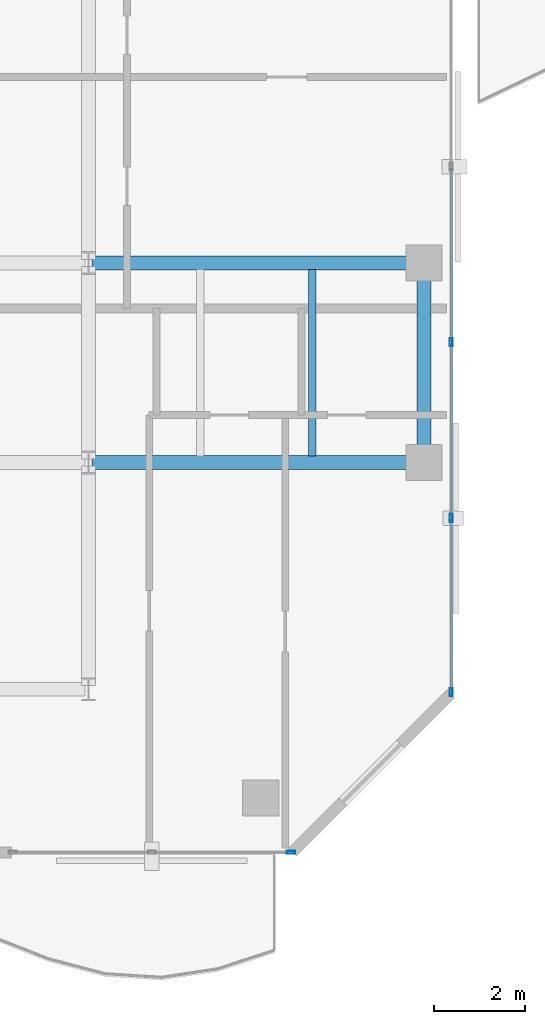
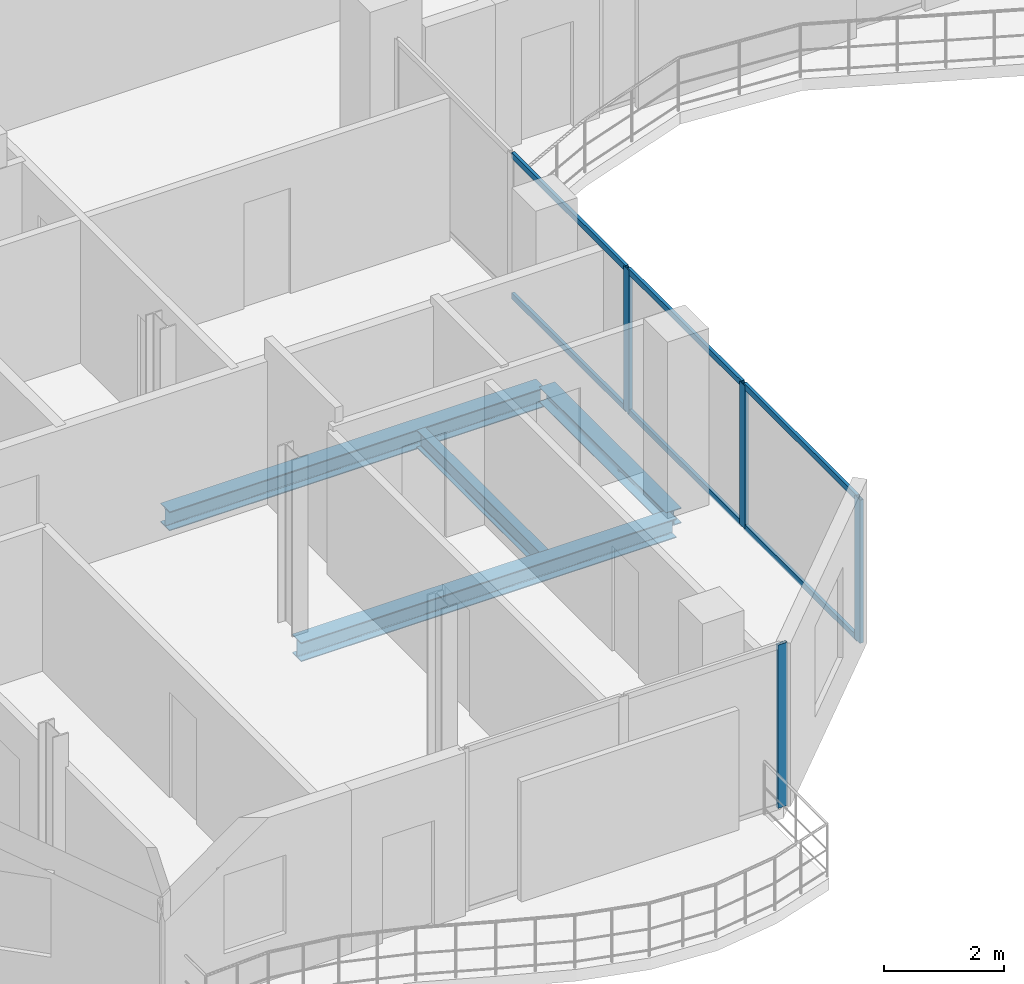
# One storey, part 6 of 23: 10 members, 4 beams, 2 elements without a shape of their own.
"""IFC4 building model written with IfcOpenShell, lengths in metres."""

from ifc_helpers import new_model, si_unit, direction, frame, origin, origin_2d, place, context, subcontext, project, spatial, hollow_rectangle, i_section, extrude, material, layer, layer_set, material_profile, profile_set, type_object, element, aggregate, save


model = new_model("IFC4")

# Units and contexts
model_context = context("Model", 3, precision=1e-05, world=origin(), true_north=direction((0.0, 1.0)))
body_context = subcontext(model_context, "Body", "Model", "MODEL_VIEW")
ifc_project = project(units=[si_unit("LENGTHUNIT", "METRE"), si_unit("AREAUNIT", "SQUARE_METRE"), si_unit("VOLUMEUNIT", "CUBIC_METRE"), si_unit("PLANEANGLEUNIT", "RADIAN"), si_unit("MASSUNIT", "GRAM", prefix="KILO")], contexts=[model_context])

# Site, building, storey
site_placement = place(None, origin())
site = spatial("IfcSite", under=ifc_project, at=site_placement, CompositionType="ELEMENT")
building_placement = place(site_placement, origin())
building = spatial("IfcBuilding", under=site, at=building_placement, Name="Catumbela Crestline Tower", CompositionType="ELEMENT")
storey_placement = place(building_placement, frame((0.0, 0.0, 168.6)))
storey = spatial("IfcBuildingStorey", under=building, at=storey_placement, Name="L43", CompositionType="ELEMENT", Elevation=168.6)

# Beams
ifc_material_1 = material(Name="Structural steel S355J2", Category="steel")
ifc_material_profile_1 = material_profile(ifc_material_1, i_section(OverallWidth=0.3, OverallDepth=0.39, WebThickness=0.011, FlangeThickness=0.019, FilletRadius=0.027, at=origin_2d()), Name="HEA 400")
ifc_profile_set_1 = profile_set([ifc_material_profile_1], Name="Structural steel S355J2")
beam_type_1 = type_object("IfcBeamType", Name="BG-HEA400", PredefinedType="BEAM", material=ifc_profile_set_1)
for number, where, z_axis, x_axis, name in (
    (1, (16.08, 13.6, -0.455), (1.0, 0.0, 0.0), (0.0, 1.0, 0.0), "L43 Beam BM-L43-WEW34"),
    (2, (16.08, 18.0, -0.455), (1.0, 0.0, 0.0), (0.0, 1.0, 0.0), "L43 Beam BM-L43-WEW36"),
):
    element("IfcBeam", number, at=place(storey_placement, frame(where, z_axis=z_axis, x_axis=x_axis)), inside=storey, type_object=beam_type_1, Name=name, PredefinedType="BEAM", context=body_context, shape_type="SweptSolid", body=[
        extrude(i_section(OverallWidth=0.3, OverallDepth=0.39, WebThickness=0.011, FlangeThickness=0.019, FilletRadius=0.027, at=origin_2d()), origin(), (0.0, 0.0, 1.0), 7.24),
    ])
ifc_material_profile_2 = material_profile(ifc_material_1, i_section(OverallWidth=0.17, OverallDepth=0.36, WebThickness=0.008, FlangeThickness=0.0127, FilletRadius=0.018, at=origin_2d()), Name="IPE 360")
ifc_profile_set_2 = profile_set([ifc_material_profile_2], Name="Structural steel S355J2")
beam_type_2 = type_object("IfcBeamType", Name="BJ-IPE360", PredefinedType="JOIST", material=ifc_profile_set_2)
beam_1_placement = place(storey_placement, frame((20.933, 13.747, -0.44), z_axis=(0.0, 1.0, 0.0), x_axis=(-1.0, 0.0, 0.0)))
element("IfcBeam", 3, at=beam_1_placement, inside=storey, type_object=beam_type_2, Name="L43 Joist JS-L43-WG49", PredefinedType="JOIST", context=body_context, shape_type="SweptSolid", body=[
    extrude(i_section(OverallWidth=0.17, OverallDepth=0.36, WebThickness=0.008, FlangeThickness=0.0127, FilletRadius=0.018, at=origin_2d()), origin(), (0.0, 0.0, 1.0), 4.106),
])

# Curtain wall, member
ifc_material_2 = material(Name="Aluminium alloy AW-6060-T66", Category="aluminium")
ifc_layer = layer(ifc_material_2, 0.18, Name="Aluminium alloy AW-6060-T66")
ifc_layer_set = layer_set([ifc_layer], Name="Aluminium alloy AW-6060-T66")
curtain_wall_type = type_object("IfcCurtainWallType", Name="CWU-Z3", PredefinedType="USERDEFINED", material=ifc_layer_set)
curtain_wall_1_placement = place(storey_placement, origin())
curtain_wall_1 = element("IfcCurtainWall", 4, at=curtain_wall_1_placement, inside=storey, type_object=curtain_wall_type, Name="L43 Unitised Curtain Wall CW-L43-E0S2", ObjectType="UNITISED", PredefinedType="USERDEFINED")
ifc_material_profile_3 = material_profile(ifc_material_2, hollow_rectangle(XDim=0.065, YDim=0.18, WallThickness=0.004, at=origin_2d()), Name="ALU 180x65x4")
ifc_profile_set_3 = profile_set([ifc_material_profile_3], Name="Aluminium alloy AW-6060-T66")
member_type_1 = type_object("IfcMemberType", Name="MUL-180X65", PredefinedType="MULLION", material=ifc_profile_set_3)
member_1_placement = place(storey_placement, frame((20.4675, 5.0, 0.0), z_axis=(0.0, 0.0, 1.0), x_axis=(0.0, 1.0, 0.0)))
member_1 = element("IfcMember", 5, at=member_1_placement, type_object=member_type_1, Name="CWU-Z3 mullion 3", PredefinedType="MULLION", context=body_context, shape_type="SweptSolid", body=[
    extrude(hollow_rectangle(XDim=0.065, YDim=0.18, WallThickness=0.004, at=origin_2d()), origin(), (0.0, 0.0, 1.0), 3.33),
])
aggregate(curtain_wall_1, [member_1])

# Curtain wall, members
curtain_wall_2_placement = place(storey_placement, origin())
curtain_wall_2 = element("IfcCurtainWall", 6, at=curtain_wall_2_placement, inside=storey, type_object=curtain_wall_type, Name="L43 Unitised Curtain Wall CW-L43-E2S1", ObjectType="UNITISED", PredefinedType="USERDEFINED")
member_2_placement = place(storey_placement, frame((24.0, 8.5325, 0.0), z_axis=(0.0, 0.0, 1.0), x_axis=(-1.0, 0.0, 0.0)))
member_2 = element("IfcMember", 7, at=member_2_placement, type_object=member_type_1, Name="CWU-Z3 mullion 1", PredefinedType="MULLION", context=body_context, shape_type="SweptSolid", body=[
    extrude(hollow_rectangle(XDim=0.065, YDim=0.18, WallThickness=0.004, at=origin_2d()), origin(), (0.0, 0.0, 1.0), 2.92),
])
member_3_placement = place(storey_placement, frame((24.0, 12.375, 0.0), z_axis=(0.0, 0.0, 1.0), x_axis=(-1.0, 0.0, 0.0)))
member_3 = element("IfcMember", 8, at=member_3_placement, type_object=member_type_1, Name="CWU-Z3 mullion 2", PredefinedType="MULLION", context=body_context, shape_type="SweptSolid", body=[
    extrude(hollow_rectangle(XDim=0.065, YDim=0.18, WallThickness=0.004, at=origin_2d()), origin(), (0.0, 0.0, 1.0), 2.92),
])
member_4_placement = place(storey_placement, frame((24.0, 16.25, 0.0), z_axis=(0.0, 0.0, 1.0), x_axis=(-1.0, 0.0, 0.0)))
member_4 = element("IfcMember", 9, at=member_4_placement, type_object=member_type_1, Name="CWU-Z3 mullion 3", PredefinedType="MULLION", context=body_context, shape_type="SweptSolid", body=[
    extrude(hollow_rectangle(XDim=0.065, YDim=0.18, WallThickness=0.004, at=origin_2d()), origin(), (0.0, 0.0, 1.0), 2.92),
])

# Beam
ifc_material_profile_4 = material_profile(ifc_material_1, i_section(OverallWidth=0.3, OverallDepth=0.31, WebThickness=0.009, FlangeThickness=0.0155, FilletRadius=0.027, at=origin_2d()), Name="HEA 320")
ifc_profile_set_4 = profile_set([ifc_material_profile_4], Name="Structural steel S355J2")
beam_type_3 = type_object("IfcBeamType", Name="BS-HEA320", PredefinedType="SPANDREL", material=ifc_profile_set_4)
beam_2_placement = place(storey_placement, frame((23.4, 13.68, -0.415), z_axis=(0.0, 1.0, 0.0), x_axis=(-1.0, 0.0, 0.0)))
element("IfcBeam", 10, at=beam_2_placement, inside=storey, type_object=beam_type_3, Name="L43 Spandrel SP-L43-WNS43", PredefinedType="SPANDREL", context=body_context, shape_type="SweptSolid", body=[
    extrude(i_section(OverallWidth=0.3, OverallDepth=0.31, WebThickness=0.009, FlangeThickness=0.0155, FilletRadius=0.027, at=origin_2d()), origin(), (0.0, 0.0, 1.0), 4.24),
])

# Member
ifc_material_profile_5 = material_profile(ifc_material_2, hollow_rectangle(XDim=0.06, YDim=0.12, WallThickness=0.0035, at=origin_2d()), Name="ALU 120x60x3.5")
ifc_profile_set_5 = profile_set([ifc_material_profile_5], Name="Aluminium alloy AW-6060-T66")
member_type_2 = type_object("IfcMemberType", Name="TRN-120X60", PredefinedType="USERDEFINED", material=ifc_profile_set_5)
member_5_placement = place(storey_placement, frame((24.0, 8.565, 0.03), z_axis=(0.0, 1.0, 0.0), x_axis=(-1.0, 0.0, 0.0)))
member_5 = element("IfcMember", 11, at=member_5_placement, type_object=member_type_2, Name="CWU-Z3 transom 1.1", ObjectType="TRANSOM", PredefinedType="USERDEFINED", context=body_context, shape_type="SweptSolid", body=[
    extrude(hollow_rectangle(XDim=0.06, YDim=0.12, WallThickness=0.0035, at=origin_2d()), origin(), (0.0, 0.0, 1.0), 3.7775),
])

member_6_placement = place(storey_placement, frame((24.0, 8.565, 2.89), z_axis=(0.0, 1.0, 0.0), x_axis=(-1.0, 0.0, 0.0)))
member_6 = element("IfcMember", 12, at=member_6_placement, type_object=member_type_2, Name="CWU-Z3 transom 1.2", ObjectType="TRANSOM", PredefinedType="USERDEFINED", context=body_context, shape_type="SweptSolid", body=[
    extrude(hollow_rectangle(XDim=0.06, YDim=0.12, WallThickness=0.0035, at=origin_2d()), origin(), (0.0, 0.0, 1.0), 3.7775),
])

member_7_placement = place(storey_placement, frame((24.0, 12.4075, 0.03), z_axis=(0.0, 1.0, 0.0), x_axis=(-1.0, 0.0, 0.0)))
member_7 = element("IfcMember", 13, at=member_7_placement, type_object=member_type_2, Name="CWU-Z3 transom 2.1", ObjectType="TRANSOM", PredefinedType="USERDEFINED", context=body_context, shape_type="SweptSolid", body=[
    extrude(hollow_rectangle(XDim=0.06, YDim=0.12, WallThickness=0.0035, at=origin_2d()), origin(), (0.0, 0.0, 1.0), 3.81),
])

member_8_placement = place(storey_placement, frame((24.0, 12.4075, 2.89), z_axis=(0.0, 1.0, 0.0), x_axis=(-1.0, 0.0, 0.0)))
member_8 = element("IfcMember", 14, at=member_8_placement, type_object=member_type_2, Name="CWU-Z3 transom 2.2", ObjectType="TRANSOM", PredefinedType="USERDEFINED", context=body_context, shape_type="SweptSolid", body=[
    extrude(hollow_rectangle(XDim=0.06, YDim=0.12, WallThickness=0.0035, at=origin_2d()), origin(), (0.0, 0.0, 1.0), 3.81),
])

member_9_placement = place(storey_placement, frame((24.0, 16.2825, 0.03), z_axis=(0.0, 1.0, 0.0), x_axis=(-1.0, 0.0, 0.0)))
member_9 = element("IfcMember", 15, at=member_9_placement, type_object=member_type_2, Name="CWU-Z3 transom 3.1", ObjectType="TRANSOM", PredefinedType="USERDEFINED", context=body_context, shape_type="SweptSolid", body=[
    extrude(hollow_rectangle(XDim=0.06, YDim=0.12, WallThickness=0.0035, at=origin_2d()), origin(), (0.0, 0.0, 1.0), 3.81),
])

member_10_placement = place(storey_placement, frame((24.0, 16.2825, 2.89), z_axis=(0.0, 1.0, 0.0), x_axis=(-1.0, 0.0, 0.0)))
member_10 = element("IfcMember", 16, at=member_10_placement, type_object=member_type_2, Name="CWU-Z3 transom 3.2", ObjectType="TRANSOM", PredefinedType="USERDEFINED", context=body_context, shape_type="SweptSolid", body=[
    extrude(hollow_rectangle(XDim=0.06, YDim=0.12, WallThickness=0.0035, at=origin_2d()), origin(), (0.0, 0.0, 1.0), 3.81),
])

aggregate(curtain_wall_2, [member_2, member_3, member_4, member_5, member_6, member_7, member_8, member_9, member_10])

save(model, "model.ifc")
